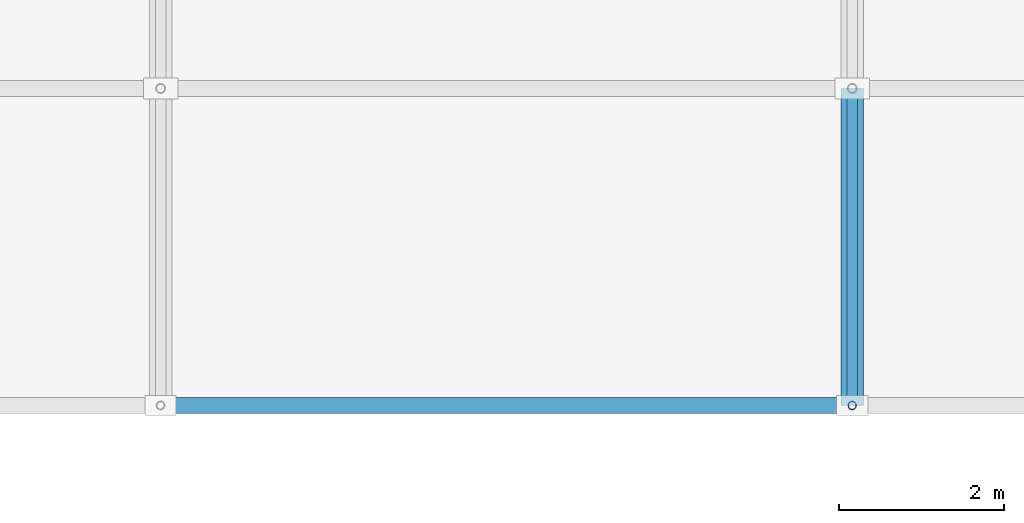
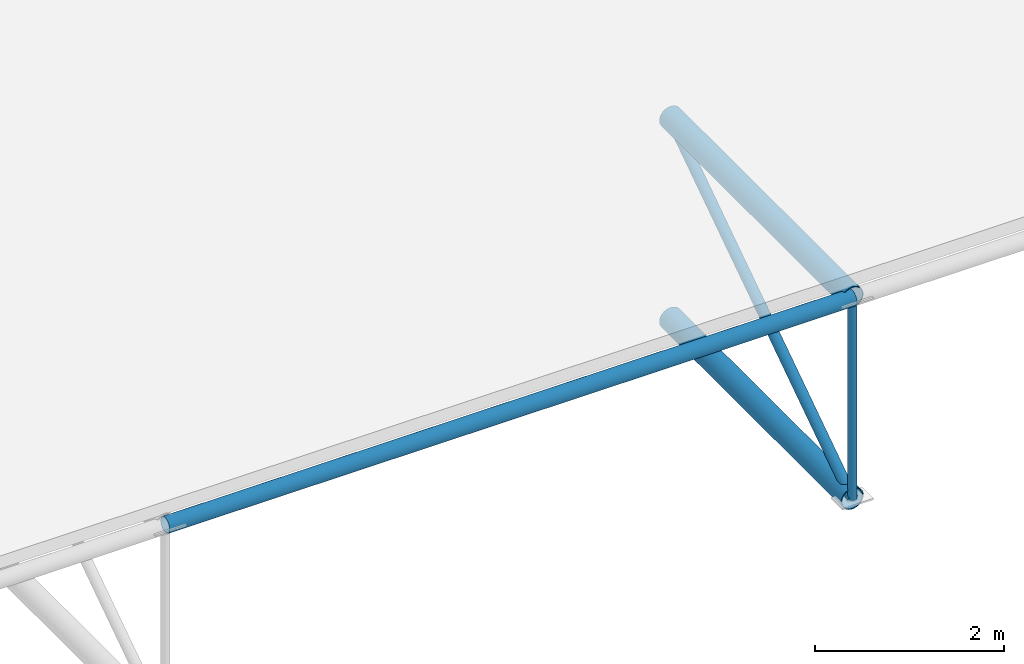
# One storey, part 24 of 140: 3 members, 2 beams.
"""IFC4 building model written with IfcOpenShell, lengths in metres."""

from ifc_helpers import new_model, si_unit, direction, frame, origin, origin_2d, place, context, subcontext, project, spatial, hollow_circle, extrude, material, material_profile, profile_set, type_object, element, save


model = new_model("IFC4")

# Units and contexts
model_context = context("Model", 3, precision=1e-05, world=origin(), true_north=direction((0.0, 1.0)))
body_context = subcontext(model_context, "Body", "Model", "MODEL_VIEW")
ifc_project = project(units=[si_unit("LENGTHUNIT", "METRE"), si_unit("AREAUNIT", "SQUARE_METRE"), si_unit("VOLUMEUNIT", "CUBIC_METRE"), si_unit("PLANEANGLEUNIT", "RADIAN"), si_unit("MASSUNIT", "GRAM", prefix="KILO")], contexts=[model_context])

# Site, building, storey
site_placement = place(None, origin())
site = spatial("IfcSite", under=ifc_project, at=site_placement, CompositionType="ELEMENT")
building_placement = place(site_placement, origin())
building = spatial("IfcBuilding", under=site, at=building_placement, Name="Varnapada Polytechnic", CompositionType="ELEMENT")
storey_placement = place(building_placement, frame((0.0, 0.0, 13.800048828125)))
storey = spatial("IfcBuildingStorey", under=building, at=storey_placement, Name="L03", CompositionType="ELEMENT", Elevation=13.800048828125)

# Members
ifc_material = material(Name="Steel S355", Category="steel")
ifc_material_profile_1 = material_profile(ifc_material, hollow_circle(Radius=0.096923828125, WallThickness=0.00634765625, at=origin_2d()), Name="CHS 193.7x6.3")
ifc_profile_set_1 = profile_set([ifc_material_profile_1], Name="Steel S355")
member_type_1 = type_object("IfcMemberType", Name="Canopy space frame longitudinal chord SFC-03 (CHS 193.7x6.3)", PredefinedType="CHORD", material=ifc_profile_set_1)
member_1_placement = place(storey_placement, frame((84.0, 5.199951171875, -1.35009765625), z_axis=(1.0, 0.0, 0.0), x_axis=(0.0, 1.0, 0.0)))
element("IfcMember", 1, at=member_1_placement, inside=storey, type_object=member_type_1, Name="Entrance canopy longitudinal chord 2.6", PredefinedType="CHORD", context=body_context, shape_type="SweptSolid", body=[
    extrude(hollow_circle(Radius=0.096923828125, WallThickness=0.00634765625, at=origin_2d()), origin(), (0.0, 0.0, 1.0), 8.39990234375),
])
ifc_material_profile_2 = material_profile(ifc_material, hollow_circle(Radius=0.05078125, WallThickness=0.0048828125, at=origin_2d()), Name="CHS 101.6x5.0")
ifc_profile_set_2 = profile_set([ifc_material_profile_2], Name="Steel S355")
member_type_2 = type_object("IfcMemberType", Name="Canopy tip strut SFS-03 (CHS 101.6x5.0)", PredefinedType="STRUT", material=ifc_profile_set_2)
member_2_placement = place(storey_placement, frame((92.39990234375, 5.199951171875, -3.949951171875), z_axis=(0.0, 0.0, 1.0), x_axis=(1.0, 0.0, 0.0)))
element("IfcMember", 2, at=member_2_placement, inside=storey, type_object=member_type_2, Name="Entrance canopy space frame post 3.6", PredefinedType="STRUT", context=body_context, shape_type="SweptSolid", body=[
    extrude(hollow_circle(Radius=0.05078125, WallThickness=0.0048828125, at=origin_2d()), origin(), (0.0, 0.0, 1.0), 2.599853515625),
])
ifc_material_profile_3 = material_profile(ifc_material, hollow_circle(Radius=0.0634765625, WallThickness=0.0048828125, at=origin_2d()), Name="CHS 127.0x5.0")
ifc_profile_set_3 = profile_set([ifc_material_profile_3], Name="Steel S355")
member_type_3 = type_object("IfcMemberType", Name="Canopy web diagonal SFB-04 (CHS 127.0x5.0)", PredefinedType="BRACE", material=ifc_profile_set_3)
member_3_placement = place(storey_placement, frame((92.39990234375, 9.050048828125, -1.35009765625), z_axis=(0.0, -0.828745090232, -0.55962628192), x_axis=(1.0, 0.0, 0.0)))
element("IfcMember", 3, at=member_3_placement, inside=storey, type_object=member_type_3, Name="Entrance canopy space frame web brace 3.5", PredefinedType="BRACE", context=body_context, shape_type="SweptSolid", body=[
    extrude(hollow_circle(Radius=0.0634765625, WallThickness=0.0048828125, at=origin_2d()), origin(), (0.0, 0.0, 1.0), 4.645751953125),
])

# Beams
ifc_material_profile_4 = material_profile(ifc_material, hollow_circle(Radius=0.136474609375, WallThickness=0.010009765625, at=origin_2d()), Name="CHS 273.0x10.0")
ifc_profile_set_4 = profile_set([ifc_material_profile_4], Name="Steel S355")
beam_type = type_object("IfcBeamType", Name="Vaulted space frame canopy chord beam VA-03 (CHS 273.0x10.0)", PredefinedType="BEAM", material=ifc_profile_set_4)
for number, where, z_axis, x_axis, name in (
    (4, (92.39990234375, 9.050048828125, -3.949951171875), (0.0, -1.0, 0.0), (1.0, 0.0, 0.0), "Entrance canopy space frame bottom chord 3.5"),
    (5, (92.39990234375, 9.050048828125, -1.35009765625), (0.0, -1.0, 0.0), (1.0, 0.0, 0.0), "Entrance canopy space frame top chord 3.5"),
):
    element("IfcBeam", number, at=place(storey_placement, frame(where, z_axis=z_axis, x_axis=x_axis)), inside=storey, type_object=beam_type, Name=name, PredefinedType="BEAM", context=body_context, shape_type="SweptSolid", body=[
        extrude(hollow_circle(Radius=0.136474609375, WallThickness=0.010009765625, at=origin_2d()), origin(), (0.0, 0.0, 1.0), 3.85009765625),
    ])

save(model, "model.ifc")
